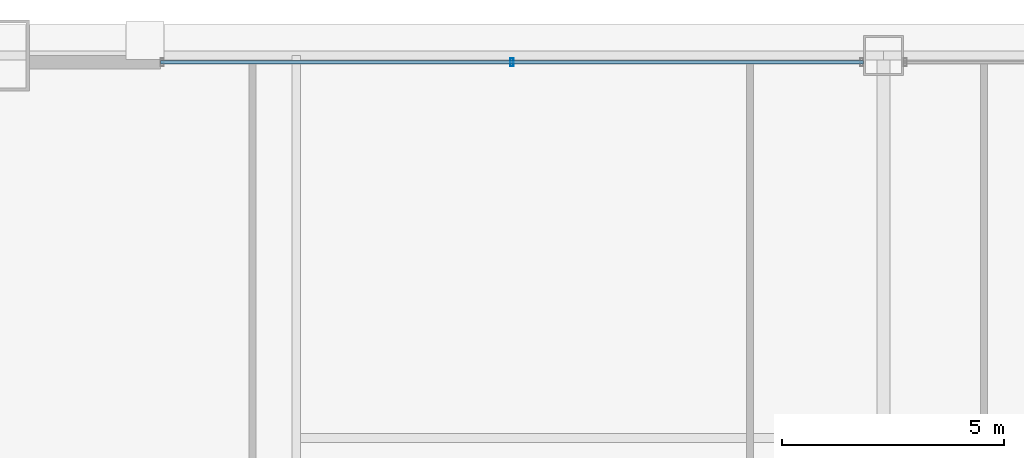
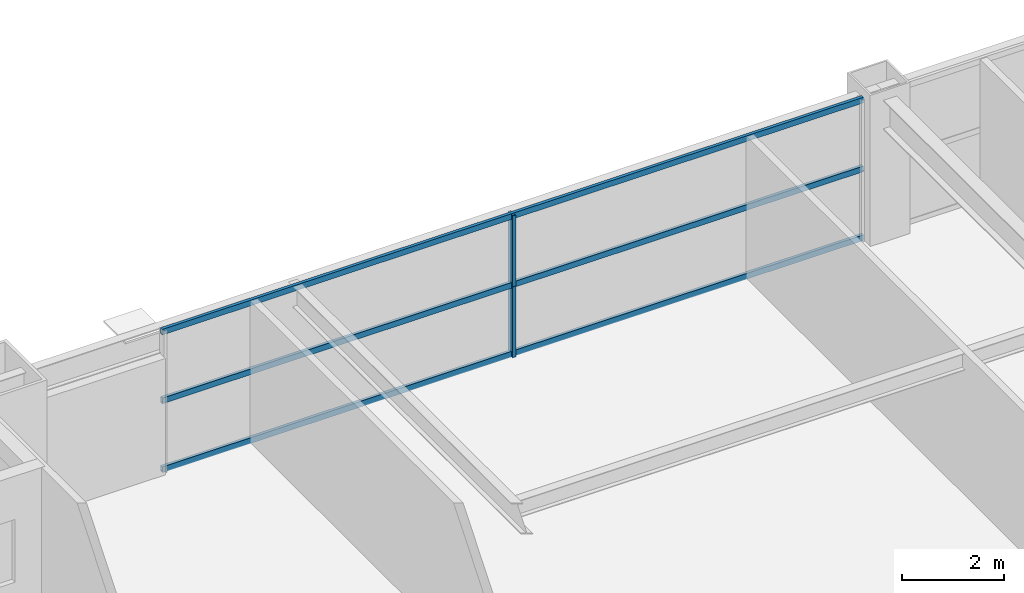
# One storey, part 25 of 39: 5 members, 1 element without a shape of its own.
"""IFC4 building model written with IfcOpenShell, lengths in metres."""

import ifcopenshell
import ifcopenshell.guid

model = None  # the IFC model being written
_history = None  # IfcOwnerHistory: only IFC2X3 demands one
_inside = {}  # id of a spatial element -> (the spatial element, [elements in it])
_under = {}  # id of a project, library or spatial element -> (it, [spatial elements below it])
_declared = {}  # id of a project -> (the project, [libraries it declares])
_typed = {}  # id of a type object -> (the type object, [elements of that type])
_made_of = {}  # id of a material, layer set ... -> (it, [elements and type objects made of it])


def new_model(schema):
    """Start an empty IFC model of exactly this schema.

    Asked for "IFC4X3", IfcOpenShell would pick the latest addendum, in which some entities
    have other attributes; the version numbers below select the first issue.
    IFC2X3 requires an IfcOwnerHistory on every rooted entity: one is made here for all.
    """
    global model, _history
    if schema == "IFC4X3":
        model = ifcopenshell.file(schema_version=(4, 3, 0, 0))
    else:
        model = ifcopenshell.file(schema=schema)
    _inside.clear()
    _under.clear()
    _declared.clear()
    _typed.clear()
    _made_of.clear()
    _history = None
    if model.schema == "IFC2X3":
        org = make("IfcOrganization", Name="unknown")
        user = make(
            "IfcPersonAndOrganization",
            ThePerson=make("IfcPerson", FamilyName="unknown"),
            TheOrganization=org,
        )
        app = make(
            "IfcApplication",
            ApplicationDeveloper=org,
            Version="unknown",
            ApplicationFullName="unknown",
            ApplicationIdentifier="unknown",
        )
        _history = make(
            "IfcOwnerHistory",
            OwningUser=user,
            OwningApplication=app,
            ChangeAction="ADDED",
            CreationDate=0,
        )
    return model


def make(cls, **values):
    """One entity of the class cls with the attributes given. An attribute that is None is left unset."""
    return model.create_entity(
        cls, **{name: value for name, value in values.items() if value is not None}
    )


def rooted(cls, **values):
    """An entity with a GlobalId (a new one), such as an element, a storey or a relation."""
    return make(cls, GlobalId=ifcopenshell.guid.new(), OwnerHistory=_history, **values)


def si_unit(unit_type, name, prefix=None):
    """IfcSIUnit, for example si_unit("LENGTHUNIT", "METRE", prefix="MILLI")."""
    return make("IfcSIUnit", UnitType=unit_type, Prefix=prefix, Name=name)


def assignment(units):
    """IfcUnitAssignment: the units of a project."""
    return None if units is None else make("IfcUnitAssignment", Units=units)


def point(xyz):
    """IfcCartesianPoint."""
    return None if xyz is None else make("IfcCartesianPoint", Coordinates=xyz)


def direction(xyz):
    """IfcDirection."""
    return None if xyz is None else make("IfcDirection", DirectionRatios=xyz)


def frame(location, z_axis=None, x_axis=None):
    """IfcAxis2Placement3D, a coordinate frame: its origin and axes. An axis left out is left unset."""
    return make(
        "IfcAxis2Placement3D",
        Location=point(location),
        Axis=direction(z_axis),
        RefDirection=direction(x_axis),
    )


def frame_2d(location, x_axis=None):
    """IfcAxis2Placement2D, a coordinate frame in the plane: its origin and x axis."""
    return make(
        "IfcAxis2Placement2D", Location=point(location), RefDirection=direction(x_axis)
    )


def origin():
    """The frame at (0, 0, 0) with its axes left unset."""
    return frame((0.0, 0.0, 0.0))


def origin_2d():
    """The frame at (0, 0) in the plane with its x axis left unset."""
    return frame_2d((0.0, 0.0))


def place(relative_to, where):
    """IfcLocalPlacement: puts the frame where relative to a parent placement (None: the world)."""
    return make(
        "IfcLocalPlacement", PlacementRelTo=relative_to, RelativePlacement=where
    )


def context(
    kind, dimensions, precision=None, world=None, true_north=None, identifier=None
):
    """IfcGeometricRepresentationContext, for example the 3D "Model" context."""
    return make(
        "IfcGeometricRepresentationContext",
        ContextIdentifier=identifier,
        ContextType=kind,
        CoordinateSpaceDimension=dimensions,
        Precision=precision,
        WorldCoordinateSystem=world,
        TrueNorth=true_north,
    )


def subcontext(parent, identifier, kind, view, scale=None):
    """IfcGeometricRepresentationSubContext, for example "Body" below "Model"."""
    return make(
        "IfcGeometricRepresentationSubContext",
        ContextIdentifier=identifier,
        ContextType=kind,
        ParentContext=parent,
        TargetScale=scale,
        TargetView=view,
    )


def project(units=None, contexts=None):
    """IfcProject with its units and contexts."""
    return rooted(
        "IfcProject",
        Name="project",
        RepresentationContexts=contexts,
        UnitsInContext=assignment(units),
    )


def spatial(cls, under=None, at=None, **own):
    """A site, building, storey or space (cls), placed at a placement, below another one or the project."""
    s = rooted(cls, ObjectPlacement=at, **own)
    if under is not None:
        _under.setdefault(under.id(), (under, []))[1].append(s)
    return s


def profile(cls, at=None, kind="AREA", **sizes):
    """A parametric profile (cls). Its sizes go by their IFC names, for example OverallWidth=200.0."""
    return make(cls, ProfileType=kind, Position=at, **sizes)


def hollow_rectangle(**sizes):
    """IfcRectangleHollowProfileDef."""
    return profile("IfcRectangleHollowProfileDef", **sizes)


def extrude(swept, where, along, depth):
    """IfcExtrudedAreaSolid: the profile swept, set in the frame where, extruded along a direction by depth."""
    return make(
        "IfcExtrudedAreaSolid",
        SweptArea=swept,
        Position=where,
        ExtrudedDirection=direction(along),
        Depth=depth,
    )


def shape(context_of_items, identifier, shape_type, items):
    """IfcShapeRepresentation: the items that make up one representation, for example the "Body"."""
    return make(
        "IfcShapeRepresentation",
        ContextOfItems=context_of_items,
        RepresentationIdentifier=identifier,
        RepresentationType=shape_type,
        Items=items,
    )


def source(mapping_origin, context_of_items, identifier, shape_type, items):
    """IfcRepresentationMap: a shape defined once, which mapped items show again and again."""
    return make(
        "IfcRepresentationMap",
        MappingOrigin=mapping_origin,
        MappedRepresentation=shape(context_of_items, identifier, shape_type, items),
    )


def transform(
    local_origin,
    x_axis=None,
    y_axis=None,
    z_axis=None,
    scale=None,
    scale2=None,
    scale3=None,
    uniform=True,
):
    """IfcCartesianTransformationOperator3D, or its non-uniform kind. x_axis, y_axis, z_axis: its Axis1, 2, 3."""
    if uniform:
        return make(
            "IfcCartesianTransformationOperator3D",
            Axis1=direction(x_axis),
            Axis2=direction(y_axis),
            LocalOrigin=point(local_origin),
            Scale=scale,
            Axis3=direction(z_axis),
        )
    return make(
        "IfcCartesianTransformationOperator3DnonUniform",
        Axis1=direction(x_axis),
        Axis2=direction(y_axis),
        LocalOrigin=point(local_origin),
        Scale=scale,
        Axis3=direction(z_axis),
        Scale2=scale2,
        Scale3=scale3,
    )


def mapped(mapping_source, mapping_target):
    """IfcMappedItem: shows the shape of a source again, moved by a transform."""
    return make(
        "IfcMappedItem", MappingSource=mapping_source, MappingTarget=mapping_target
    )


def material(Name=None, Category=None):
    """IfcMaterial."""
    return make("IfcMaterial", Name=Name, Category=Category)


def layer(
    of_material, thickness, ventilated=None, Name=None, Category=None, Priority=None
):
    """IfcMaterialLayer: one layer of a wall or slab, of a material (None: an air gap)."""
    return make(
        "IfcMaterialLayer",
        Material=of_material,
        LayerThickness=thickness,
        IsVentilated=ventilated,
        Name=Name,
        Category=Category,
        Priority=Priority,
    )


def layer_set(layers, Name=None):
    """IfcMaterialLayerSet."""
    return make("IfcMaterialLayerSet", MaterialLayers=layers, LayerSetName=Name)


def material_profile(
    of_material, cross_section, Name=None, Category=None, Priority=None
):
    """IfcMaterialProfile: a cross section and its material."""
    return make(
        "IfcMaterialProfile",
        Name=Name,
        Material=of_material,
        Profile=cross_section,
        Priority=Priority,
        Category=Category,
    )


def profile_set(profiles, Name=None, composite=None):
    """IfcMaterialProfileSet."""
    return make(
        "IfcMaterialProfileSet",
        Name=Name,
        MaterialProfiles=profiles,
        CompositeProfile=composite,
    )


def made_of(thing, what):
    """Note that an element or type object is made of a material, layer set ...; save() writes the relation."""
    if what is not None:
        _made_of.setdefault(what.id(), (what, []))[1].append(thing)
    return thing


def type_object(cls, material=None, **own):
    """A type object (cls), such as IfcWallType, which elements share."""
    return made_of(rooted(cls, **own), material)


def element(
    cls,
    number,
    at=None,
    inside=None,
    cuts=None,
    type_object=None,
    material=None,
    context=None,
    identifier="Body",
    shape_type=None,
    held_by="IfcProductDefinitionShape",
    body=None,
    shapes=None,
    **own,
):
    """One element of the class cls, such as IfcWall. Its Tag is "e" and its number.

    at: its placement. inside: the storey or other place that contains it. cuts: it is an
    opening in that element (IfcRelVoidsElement). A single representation is given by context,
    identifier, shape_type and body (its items); several are given by shapes. held_by: the class
    of the entity that holds the representations. save() writes the other relations.
    """
    e = rooted(cls, Tag="e%d" % number, ObjectPlacement=at, **own)
    if body is not None:
        shapes = [shape(context, identifier, shape_type, body)]
    if shapes is not None:
        e.Representation = make(held_by, Representations=shapes)
    if inside is not None:
        _inside.setdefault(inside.id(), (inside, []))[1].append(e)
    if cuts is not None:
        rooted(
            "IfcRelVoidsElement", RelatingBuildingElement=cuts, RelatedOpeningElement=e
        )
    if type_object is not None:
        _typed.setdefault(type_object.id(), (type_object, []))[1].append(e)
    return made_of(e, material)


def aggregate(whole, parts):
    """IfcRelAggregates: a whole, such as a stair, and the parts it consists of."""
    return rooted("IfcRelAggregates", RelatingObject=whole, RelatedObjects=parts)


def save(model, path):
    """Write the relations noted so far, then the file.

    IfcRelAggregates (storeys below a building ...), IfcRelContainedInSpatialStructure (elements
    in a storey), IfcRelDefinesByType, IfcRelAssociatesMaterial and IfcRelDeclares: one each for
    every whole, place, type object, material and project.
    """
    for whole, parts in _under.values():
        aggregate(whole, parts)
    for where, things in _inside.values():
        rooted(
            "IfcRelContainedInSpatialStructure",
            RelatedElements=things,
            RelatingStructure=where,
        )
    for kind, things in _typed.values():
        rooted("IfcRelDefinesByType", RelatedObjects=things, RelatingType=kind)
    for what, things in _made_of.values():
        rooted("IfcRelAssociatesMaterial", RelatedObjects=things, RelatingMaterial=what)
    for by, libraries in _declared.values():
        rooted("IfcRelDeclares", RelatingContext=by, RelatedDefinitions=libraries)
    model.write(path)


model = new_model("IFC4")

# Units and contexts
model_context = context("Model", 3, precision=1e-05, world=origin(), true_north=direction((0.0, 1.0)))
body_context = subcontext(model_context, "Body", "Model", "MODEL_VIEW")
ifc_project = project(units=[si_unit("LENGTHUNIT", "METRE"), si_unit("AREAUNIT", "SQUARE_METRE"), si_unit("VOLUMEUNIT", "CUBIC_METRE"), si_unit("PLANEANGLEUNIT", "RADIAN"), si_unit("MASSUNIT", "GRAM", prefix="KILO"), si_unit("THERMODYNAMICTEMPERATUREUNIT", "KELVIN"), si_unit("POWERUNIT", "WATT")], contexts=[model_context])

# Site, building, storey
site_placement = place(None, origin())
site = spatial("IfcSite", under=ifc_project, at=site_placement, CompositionType="ELEMENT")
building_placement = place(site_placement, origin())
building = spatial("IfcBuilding", under=site, at=building_placement, Name="Yuzanri Waterfront Tower", CompositionType="ELEMENT")
storey_placement = place(building_placement, frame((0.0, 0.0, 134.39990234375)))
storey = spatial("IfcBuildingStorey", under=building, at=storey_placement, Name="L35", CompositionType="ELEMENT", Elevation=134.39990234375)

# Curtain wall, members
ifc_material_1 = material(Name="Anodized Architectural Bronze", Category="metal")
ifc_layer = layer(ifc_material_1, 0.159912109375)
ifc_layer_set = layer_set([ifc_layer], Name="Anodized Architectural Bronze")
curtain_wall_type = type_object("IfcCurtainWallType", Name="Anodized Bronze Hotel Upper-Tier Solar-Control Unitized Curtain Wall 7800", PredefinedType="NOTDEFINED", material=ifc_layer_set)
curtain_wall_placement = place(storey_placement, origin())
curtain_wall = element("IfcCurtainWall", 1, at=curtain_wall_placement, inside=storey, type_object=curtain_wall_type, Name="L35 Curtain Wall CW-L35-NL", PredefinedType="NOTDEFINED")
ifc_material_2 = material(Name="Anodized Architectural Bronze", Category="metal")
ifc_material_profile_1 = material_profile(ifc_material_2, hollow_rectangle(XDim=0.070068359375, YDim=0.179931640625, WallThickness=0.00390625, at=origin_2d()), Name="CWM 70x180")
ifc_profile_set_1 = profile_set([ifc_material_profile_1], Name="Anodized Architectural Bronze")
member_type_1 = type_object("IfcMemberType", Name="Anodized Bronze Standard Curtain-Wall Mullion 70x180", PredefinedType="MULLION", material=ifc_profile_set_1)
shared_shape_1 = source(origin(), body_context, "Body", "SweptSolid", [
    extrude(hollow_rectangle(XDim=0.070068359375, YDim=0.179931640625, WallThickness=0.00390625, at=origin_2d()), origin(), (0.0, 0.0, 1.0), 1.68798828125),
])
member_1_placement = place(storey_placement, frame((28.64990234375, 49.25, 0.0), z_axis=(0.0, 0.0, 1.0), x_axis=(1.0, 0.0, 0.0)))
member_1 = element("IfcMember", 2, at=member_1_placement, type_object=member_type_1, Name="CW-L35-NL Lower Mullion 01", PredefinedType="MULLION", context=body_context, shape_type="MappedRepresentation", body=[
    mapped(shared_shape_1, transform((0.0, 0.0, 0.0), scale=1.0)),
])
member_2_placement = place(storey_placement, frame((28.64990234375, 49.25, 1.692138671875), z_axis=(0.0, 0.0, 1.0), x_axis=(1.0, 0.0, 0.0)))
member_2 = element("IfcMember", 3, at=member_2_placement, type_object=member_type_1, Name="CW-L35-NL Upper Mullion 01", PredefinedType="MULLION", context=body_context, shape_type="MappedRepresentation", body=[
    mapped(shared_shape_1, transform((0.0, 0.0, 0.0), scale=1.0)),
])
ifc_material_3 = material(Name="Anodized Architectural Bronze", Category="metal")
ifc_material_profile_2 = material_profile(ifc_material_3, hollow_rectangle(XDim=0.070068359375, YDim=0.135009765625, WallThickness=0.00341796875, at=origin_2d()), Name="CWT 70x135")
ifc_profile_set_2 = profile_set([ifc_material_profile_2], Name="Anodized Architectural Bronze")
member_type_2 = type_object("IfcMemberType", Name="Anodized Bronze Standard Curtain-Wall Transom 70x135", PredefinedType="USERDEFINED", material=ifc_profile_set_2)
shared_shape_2 = source(origin(), body_context, "Body", "SweptSolid", [
    extrude(hollow_rectangle(XDim=0.070068359375, YDim=0.135009765625, WallThickness=0.00341796875, at=origin_2d()), origin(), (0.0, 0.0, 1.0), 15.800048828125),
])
member_3_placement = place(storey_placement, frame((20.75, 49.25, 0.050048828125), z_axis=(1.0, 0.0, 0.0), x_axis=(0.0, 1.0, 0.0)))
member_3 = element("IfcMember", 4, at=member_3_placement, type_object=member_type_2, Name="CW-L35-NL Transom 1", ObjectType="TRANSOM", PredefinedType="USERDEFINED", context=body_context, shape_type="MappedRepresentation", body=[
    mapped(shared_shape_2, transform((0.0, 0.0, 0.0), scale=1.0)),
])
member_4_placement = place(storey_placement, frame((20.75, 49.25, 1.690185546875), z_axis=(1.0, 0.0, 0.0), x_axis=(0.0, 1.0, 0.0)))
member_4 = element("IfcMember", 5, at=member_4_placement, type_object=member_type_2, Name="CW-L35-NL Transom 2", ObjectType="TRANSOM", PredefinedType="USERDEFINED", context=body_context, shape_type="MappedRepresentation", body=[
    mapped(shared_shape_2, transform((0.0, 0.0, 0.0), scale=1.0)),
])
member_5_placement = place(storey_placement, frame((20.75, 49.25, 3.330078125), z_axis=(1.0, 0.0, 0.0), x_axis=(0.0, 1.0, 0.0)))
member_5 = element("IfcMember", 6, at=member_5_placement, type_object=member_type_2, Name="CW-L35-NL Transom 3", ObjectType="TRANSOM", PredefinedType="USERDEFINED", context=body_context, shape_type="MappedRepresentation", body=[
    mapped(shared_shape_2, transform((0.0, 0.0, 0.0), scale=1.0)),
])
aggregate(curtain_wall, [member_1, member_2, member_3, member_4, member_5])

save(model, "model.ifc")
